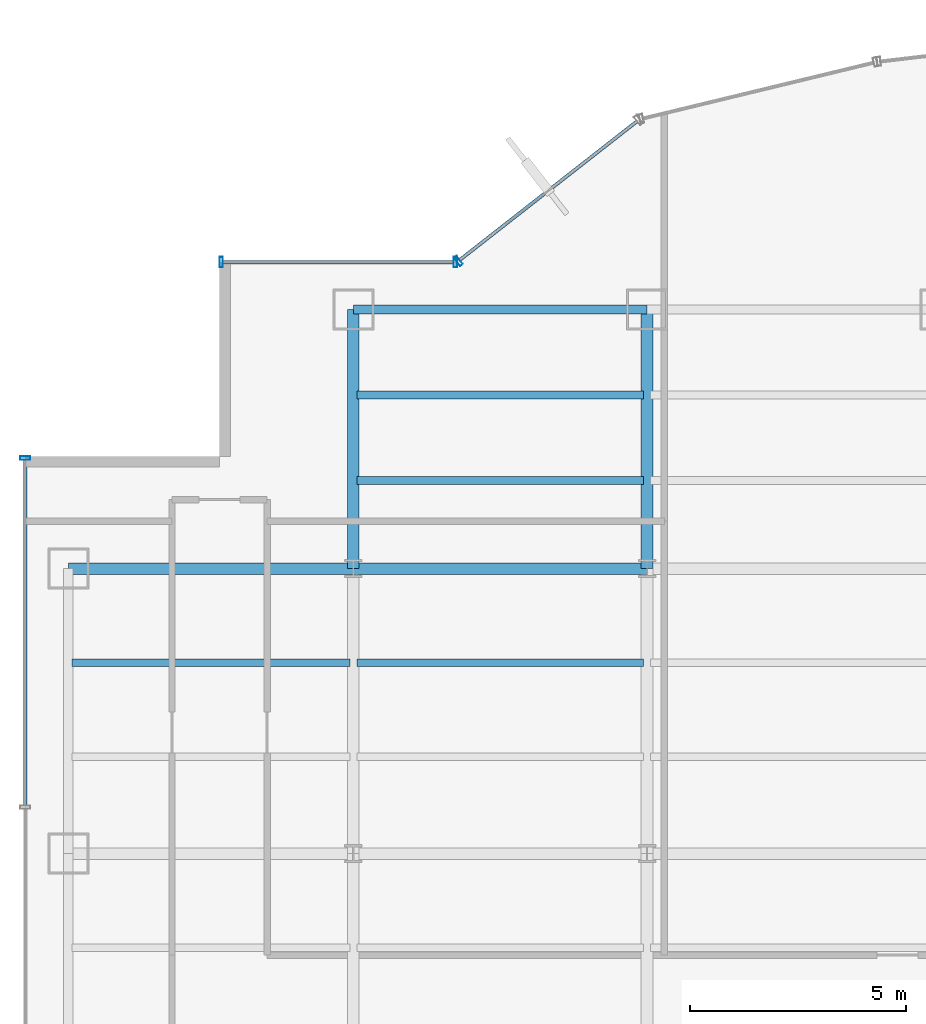
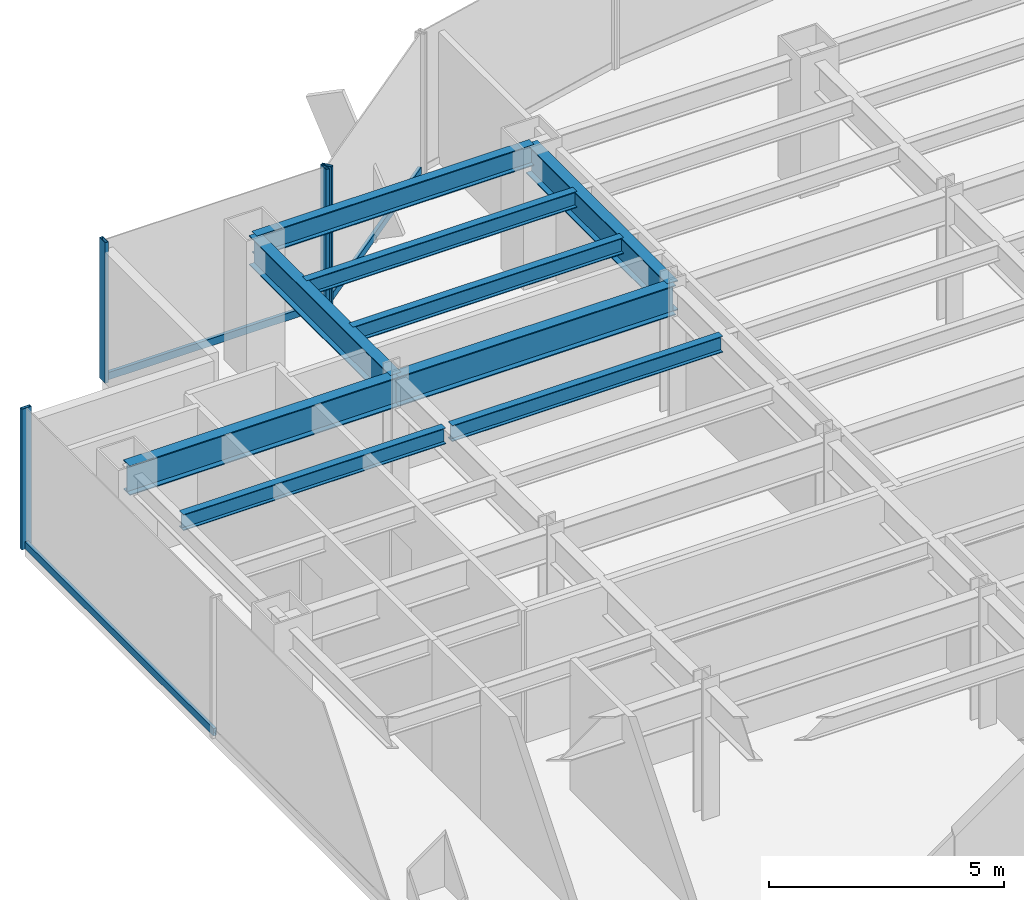
# One storey, part 10 of 23: 9 beams, 7 members, 3 elements without a shape of their own.
"""IFC4 building model written with IfcOpenShell, lengths in metres."""

from ifc_helpers import new_model, si_unit, derived_unit, direction, frame, origin, origin_2d, place, context, subcontext, project, spatial, hollow_rectangle, i_section, extrude, source, transform, mapped, material, material_profile, profile_set, type_object, element, aggregate, save


model = new_model("IFC4")

# Units and contexts
model_context = context("Model", 3, precision=1e-05, world=origin(), true_north=direction((0.0, 1.0)))
body_context = subcontext(model_context, "Body", "Model", "MODEL_VIEW")
ifc_project = project(units=[si_unit("LENGTHUNIT", "METRE"), si_unit("AREAUNIT", "SQUARE_METRE"), si_unit("VOLUMEUNIT", "CUBIC_METRE"), si_unit("PLANEANGLEUNIT", "RADIAN"), si_unit("MASSUNIT", "GRAM", prefix="KILO"), derived_unit("THERMALTRANSMITTANCEUNIT", [(si_unit("POWERUNIT", "WATT"), 1), (si_unit("LENGTHUNIT", "METRE"), -2), (si_unit("THERMODYNAMICTEMPERATUREUNIT", "KELVIN"), -1)])], contexts=[model_context])

# Site, building, storey
site_placement = place(None, origin())
site = spatial("IfcSite", under=ifc_project, at=site_placement, CompositionType="ELEMENT")
building_placement = place(site_placement, origin())
building = spatial("IfcBuilding", under=site, at=building_placement, Name="Skarnbrae Concourse Arena and Tower", CompositionType="ELEMENT")
storey_placement = place(building_placement, frame((0.0, 0.0, 50.75)))
storey = spatial("IfcBuildingStorey", under=building, at=storey_placement, Name="L11", CompositionType="ELEMENT", Elevation=50.75)

# Beams
ifc_material_1 = material(Name="Steel CSA G40.21 350W", Category="steel")
ifc_material_profile_1 = material_profile(ifc_material_1, i_section(OverallWidth=0.26806640625, OverallDepth=0.77001953125, WebThickness=0.015625, FlangeThickness=0.025390625, at=origin_2d()), Name="W760X196")
ifc_profile_set_1 = profile_set([ifc_material_profile_1], Name="Steel CSA G40.21 350W")
beam_type_1 = type_object("IfcBeamType", Name="BM-GIRD-W760X196", PredefinedType="BEAM", material=ifc_profile_set_1)
shared_shape_1 = source(origin(), body_context, "Body", "SweptSolid", [
    extrude(i_section(OverallWidth=0.26806640625, OverallDepth=0.77001953125, WebThickness=0.015625, FlangeThickness=0.025390625, at=origin_2d()), origin(), (0.0, 0.0, 1.0), 6.60009765625),
])
beam_1_placement = place(storey_placement, frame((1.0, 34.39990234375, 3.014892578125), z_axis=(1.0, 0.0, 0.0), x_axis=(0.0, 1.0, 0.0)))
element("IfcBeam", 1, at=beam_1_placement, inside=storey, type_object=beam_type_1, Name="L11 Primary E-W girder Y34.4-1", PredefinedType="BEAM", context=body_context, shape_type="MappedRepresentation", body=[
    mapped(shared_shape_1, transform((0.0, 0.0, 0.0))),
])
shared_shape_2 = source(origin(), body_context, "Body", "SweptSolid", [
    extrude(i_section(OverallWidth=0.26806640625, OverallDepth=0.77001953125, WebThickness=0.015625, FlangeThickness=0.025390625, at=origin_2d()), origin(), (0.0, 0.0, 1.0), 6.7998046875),
])
beam_2_placement = place(storey_placement, frame((7.60009765625, 34.39990234375, 3.014892578125), z_axis=(1.0, 0.0, 0.0), x_axis=(0.0, 1.0, 0.0)))
element("IfcBeam", 2, at=beam_2_placement, inside=storey, type_object=beam_type_1, Name="L11 Primary E-W girder Y34.4-2", PredefinedType="BEAM", context=body_context, shape_type="MappedRepresentation", body=[
    mapped(shared_shape_2, transform((0.0, 0.0, 0.0))),
])
shared_shape_3 = source(origin(), body_context, "Body", "SweptSolid", [
    extrude(i_section(OverallWidth=0.26806640625, OverallDepth=0.77001953125, WebThickness=0.015625, FlangeThickness=0.025390625, at=origin_2d()), origin(), (0.0, 0.0, 1.0), 6.0),
])
for number, where, z_axis, x_axis, name in (
    (3, (7.60009765625, 34.39990234375, 3.014892578125), (0.0, 1.0, 0.0), (-1.0, 0.0, 0.0), "L11 Primary N-S girder X7.6-4"),
    (4, (14.39990234375, 34.39990234375, 3.014892578125), (0.0, 1.0, 0.0), (-1.0, 0.0, 0.0), "L11 Primary N-S girder X14.4-4"),
):
    element("IfcBeam", number, at=place(storey_placement, frame(where, z_axis=z_axis, x_axis=x_axis)), inside=storey, type_object=beam_type_1, Name=name, PredefinedType="BEAM", context=body_context, shape_type="MappedRepresentation", body=[
        mapped(shared_shape_3, transform((0.0, 0.0, 0.0))),
    ])
ifc_material_profile_2 = material_profile(ifc_material_1, i_section(OverallWidth=0.214111328125, OverallDepth=0.549072265625, WebThickness=0.0146484375, FlangeThickness=0.023681640625, at=origin_2d()), Name="W530X138")
ifc_profile_set_2 = profile_set([ifc_material_profile_2], Name="Steel CSA G40.21 350W")
beam_type_2 = type_object("IfcBeamType", Name="BM-SPAN-W530X138", PredefinedType="SPANDREL", material=ifc_profile_set_2)
shared_shape_4 = source(origin(), body_context, "Body", "SweptSolid", [
    extrude(i_section(OverallWidth=0.214111328125, OverallDepth=0.549072265625, WebThickness=0.0146484375, FlangeThickness=0.023681640625, at=origin_2d()), origin(), (0.0, 0.0, 1.0), 6.7998046875),
])
beam_3_placement = place(storey_placement, frame((7.60009765625, 40.39990234375, 3.12548828125), z_axis=(1.0, 0.0, 0.0), x_axis=(0.0, 1.0, 0.0)))
element("IfcBeam", 5, at=beam_3_placement, inside=storey, type_object=beam_type_2, Name="L11 Perimeter spandrel Y40.4-1", PredefinedType="SPANDREL", context=body_context, shape_type="MappedRepresentation", body=[
    mapped(shared_shape_4, transform((0.0, 0.0, 0.0))),
])
ifc_material_profile_3 = material_profile(ifc_material_1, i_section(OverallWidth=0.180908203125, OverallDepth=0.4169921875, WebThickness=0.010986328125, FlangeThickness=0.018310546875, at=origin_2d()), Name="W410X85")
ifc_profile_set_3 = profile_set([ifc_material_profile_3], Name="Steel CSA G40.21 350W")
beam_type_3 = type_object("IfcBeamType", Name="BM-JOIST-W410X85", PredefinedType="JOIST", material=ifc_profile_set_3)
shared_shape_5 = source(origin(), body_context, "Body", "SweptSolid", [
    extrude(i_section(OverallWidth=0.180908203125, OverallDepth=0.4169921875, WebThickness=0.010986328125, FlangeThickness=0.018310546875, at=origin_2d()), origin(), (0.0, 0.0, 1.0), 6.43994140625),
])
beam_4_placement = place(storey_placement, frame((1.080078125, 32.221923828125, 3.19140625), z_axis=(1.0, 0.0, 0.0), x_axis=(0.0, 1.0, 0.0)))
element("IfcBeam", 6, at=beam_4_placement, inside=storey, type_object=beam_type_3, Name="L11 Secondary floor joist 3.2.1", PredefinedType="JOIST", context=body_context, shape_type="MappedRepresentation", body=[
    mapped(shared_shape_5, transform((0.0, 0.0, 0.0))),
])
shared_shape_6 = source(origin(), body_context, "Body", "SweptSolid", [
    extrude(i_section(OverallWidth=0.180908203125, OverallDepth=0.4169921875, WebThickness=0.010986328125, FlangeThickness=0.018310546875, at=origin_2d()), origin(), (0.0, 0.0, 1.0), 6.64013671875),
])
for number, where, z_axis, x_axis, name in (
    (7, (7.679931640625, 32.221923828125, 3.19140625), (1.0, 0.0, 0.0), (0.0, 1.0, 0.0), "L11 Secondary floor joist 3.2.2"),
    (8, (7.679931640625, 36.43994140625, 3.19140625), (1.0, 0.0, 0.0), (0.0, 1.0, 0.0), "L11 Secondary floor joist 4.1.1"),
    (9, (7.679931640625, 38.419921875, 3.19140625), (1.0, 0.0, 0.0), (0.0, 1.0, 0.0), "L11 Secondary floor joist 4.2.1"),
):
    element("IfcBeam", number, at=place(storey_placement, frame(where, z_axis=z_axis, x_axis=x_axis)), inside=storey, type_object=beam_type_3, Name=name, PredefinedType="JOIST", context=body_context, shape_type="MappedRepresentation", body=[
        mapped(shared_shape_6, transform((0.0, 0.0, 0.0))),
    ])

# Curtain wall, member
ifc_material_2 = material(Name="Bronze anodised aluminium 6063-T6", Category="aluminium")
curtain_wall_type = type_object("IfcCurtainWallType", Name="CW-SYS-02-LOWZONE", PredefinedType="USERDEFINED", material=ifc_material_2)
curtain_wall_1_placement = place(storey_placement, origin())
curtain_wall_1 = element("IfcCurtainWall", 10, at=curtain_wall_1_placement, inside=storey, type_object=curtain_wall_type, Name="L11 Unitised curtain wall CW-L11-E15", ObjectType="UNITISED CURTAIN WALL", PredefinedType="USERDEFINED")
ifc_material_profile_4 = material_profile(ifc_material_2, hollow_rectangle(XDim=0.080078125, YDim=0.239990234375, WallThickness=0.0048828125, at=origin_2d()), Name="ALU-MULL-80X240")
ifc_profile_set_4 = profile_set([ifc_material_profile_4], Name="Bronze anodised aluminium 6063-T6")
member_type_1 = type_object("IfcMemberType", Name="CWM-CW-02", PredefinedType="MULLION", material=ifc_profile_set_4)
shared_shape_7 = source(origin(), body_context, "Body", "SweptSolid", [
    extrude(hollow_rectangle(XDim=0.080078125, YDim=0.239990234375, WallThickness=0.0048828125, at=origin_2d()), origin(), (0.0, 0.0, 1.0), 3.64990234375),
])
member_1_placement = place(storey_placement, frame((10.031494140625, 41.524658203125, 0.0), z_axis=(0.0, 0.0, 1.0), x_axis=(-0.787651726054, -0.616120733658, 0.0)))
member_1 = element("IfcMember", 11, at=member_1_placement, type_object=member_type_1, Name="CW-L11-E15 Mullion 2", PredefinedType="MULLION", context=body_context, shape_type="MappedRepresentation", body=[
    mapped(shared_shape_7, transform((0.0, 0.0, 0.0))),
])

# Curtain wall, members
curtain_wall_2_placement = place(storey_placement, origin())
curtain_wall_2 = element("IfcCurtainWall", 12, at=curtain_wall_2_placement, inside=storey, type_object=curtain_wall_type, Name="L11 Unitised curtain wall CW-L11-E16", ObjectType="UNITISED CURTAIN WALL", PredefinedType="USERDEFINED")
member_2_placement = place(storey_placement, frame((9.9599609375, 41.5, 0.0), z_axis=(0.0, 0.0, 1.0), x_axis=(-1.0, 0.0, 0.0)))
member_2 = element("IfcMember", 13, at=member_2_placement, type_object=member_type_1, Name="CW-L11-E16 Mullion 1", PredefinedType="MULLION", context=body_context, shape_type="MappedRepresentation", body=[
    mapped(shared_shape_7, transform((0.0, 0.0, 0.0))),
])
member_3_placement = place(storey_placement, frame((4.5400390625, 41.5, 0.0), z_axis=(0.0, 0.0, 1.0), x_axis=(-1.0, 0.0, 0.0)))
member_3 = element("IfcMember", 14, at=member_3_placement, type_object=member_type_1, Name="CW-L11-E16 Mullion 2", PredefinedType="MULLION", context=body_context, shape_type="MappedRepresentation", body=[
    mapped(shared_shape_7, transform((0.0, 0.0, 0.0))),
])

# Curtain wall, member
curtain_wall_3_placement = place(storey_placement, origin())
curtain_wall_3 = element("IfcCurtainWall", 15, at=curtain_wall_3_placement, inside=storey, type_object=curtain_wall_type, Name="L11 Unitised curtain wall CW-L11-E19", ObjectType="UNITISED CURTAIN WALL", PredefinedType="USERDEFINED")
member_4_placement = place(storey_placement, frame((0.0, 36.9599609375, 0.0), z_axis=(0.0, 0.0, 1.0), x_axis=(0.0, -1.0, 0.0)))
member_4 = element("IfcMember", 16, at=member_4_placement, type_object=member_type_1, Name="CW-L11-E19 Mullion 1", PredefinedType="MULLION", context=body_context, shape_type="MappedRepresentation", body=[
    mapped(shared_shape_7, transform((0.0, 0.0, 0.0))),
])

# Member
ifc_material_profile_5 = material_profile(ifc_material_2, hollow_rectangle(XDim=0.080078125, YDim=0.18994140625, WallThickness=0.0048828125, at=origin_2d()), Name="ALU-TRAN-80X190")
ifc_profile_set_5 = profile_set([ifc_material_profile_5], Name="Bronze anodised aluminium 6063-T6")
member_type_2 = type_object("IfcMemberType", Name="CWT-CW-02", PredefinedType="USERDEFINED", material=ifc_profile_set_5)
shared_shape_8 = source(origin(), body_context, "Body", "SweptSolid", [
    extrude(hollow_rectangle(XDim=0.080078125, YDim=0.18994140625, WallThickness=0.0048828125, at=origin_2d()), origin(), (0.0, 0.0, 1.0), 5.33984375),
])
member_5_placement = place(storey_placement, frame((9.919921875, 41.5, 0.094970703125), z_axis=(-1.0, 0.0, 0.0), x_axis=(0.0, -1.0, 0.0)))
member_5 = element("IfcMember", 17, at=member_5_placement, type_object=member_type_2, Name="CW-L11-E16 Transom 1", ObjectType="TRANSOM", PredefinedType="USERDEFINED", context=body_context, shape_type="MappedRepresentation", body=[
    mapped(shared_shape_8, transform((0.0, 0.0, 0.0))),
])

aggregate(curtain_wall_2, [member_2, member_3, member_5])

shared_shape_9 = source(origin(), body_context, "Body", "SweptSolid", [
    extrude(hollow_rectangle(XDim=0.080078125, YDim=0.18994140625, WallThickness=0.0048828125, at=origin_2d()), origin(), (0.0, 0.0, 1.0), 5.215087890625),
])
member_6_placement = place(storey_placement, frame((14.170654296875, 44.762451171875, 0.094970703125), z_axis=(-0.787650196702, -0.616122688784, 0.0), x_axis=(0.616122688784, -0.787650196702, 0.0)))
member_6 = element("IfcMember", 18, at=member_6_placement, type_object=member_type_2, Name="CW-L11-E15 Transom 1", ObjectType="TRANSOM", PredefinedType="USERDEFINED", context=body_context, shape_type="MappedRepresentation", body=[
    mapped(shared_shape_9, transform((0.0, 0.0, 0.0))),
])

aggregate(curtain_wall_1, [member_1, member_6])

shared_shape_10 = source(origin(), body_context, "Body", "SweptSolid", [
    extrude(hollow_rectangle(XDim=0.080078125, YDim=0.18994140625, WallThickness=0.0048828125, at=origin_2d()), origin(), (0.0, 0.0, 1.0), 8.0048828125),
])
member_7_placement = place(storey_placement, frame((0.0, 36.919921875, 0.094970703125), z_axis=(0.0, -1.0, 0.0), x_axis=(1.0, 0.0, 0.0)))
member_7 = element("IfcMember", 19, at=member_7_placement, type_object=member_type_2, Name="CW-L11-E19 Transom 1", ObjectType="TRANSOM", PredefinedType="USERDEFINED", context=body_context, shape_type="MappedRepresentation", body=[
    mapped(shared_shape_10, transform((0.0, 0.0, 0.0))),
])

aggregate(curtain_wall_3, [member_4, member_7])

save(model, "model.ifc")
